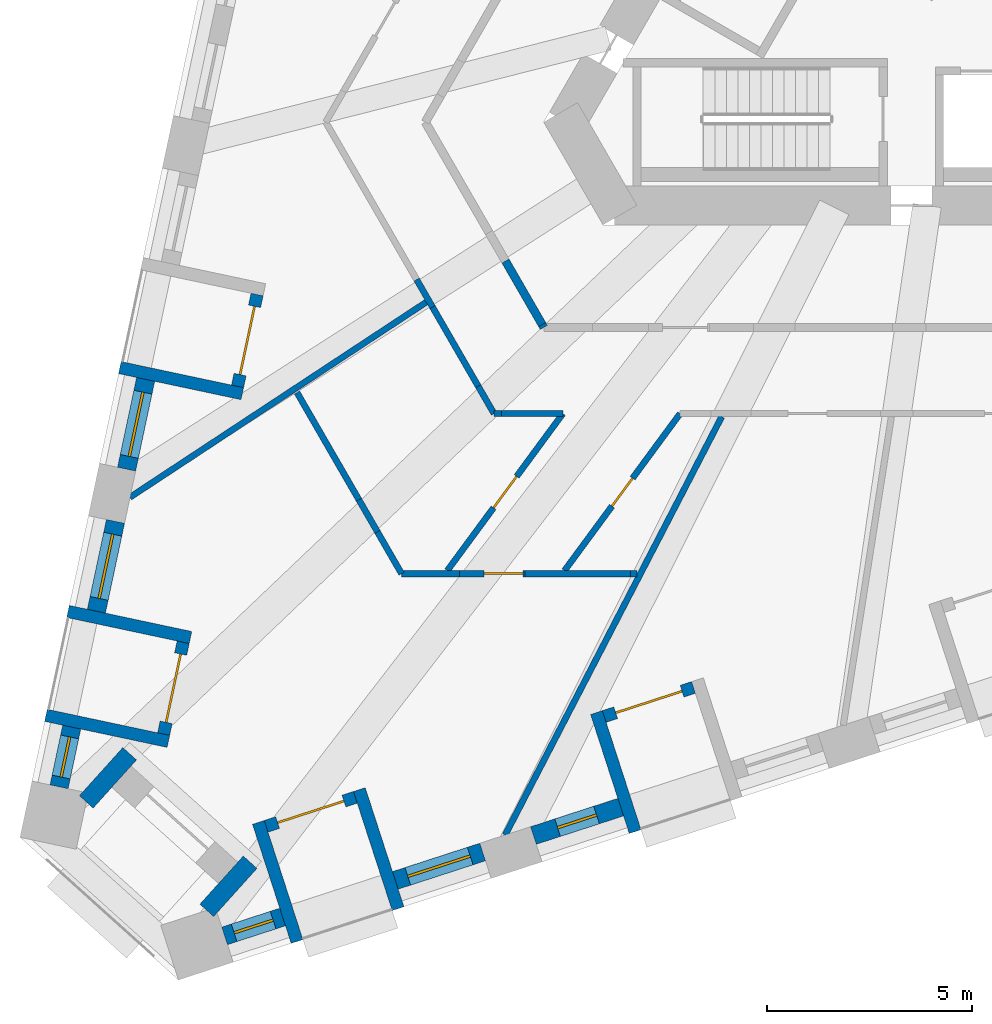
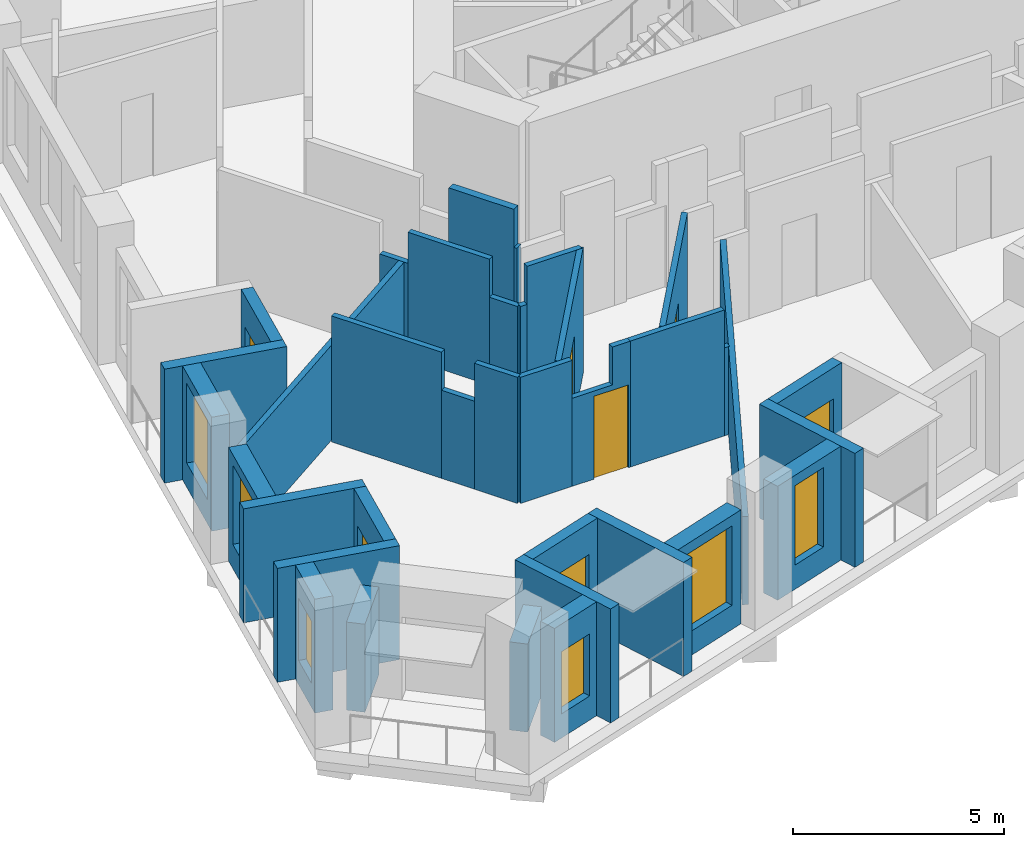
# One storey, part 2 of 12: 36 walls, 7 doors, 6 windows, 13 openings.
"""IFC4 building model written with IfcOpenShell, lengths in metres."""

from ifc_helpers import new_model, si_unit, direction, frame, frame_2d, origin, place, context, subcontext, project, spatial, polyline, rectangle, outline, extrude, material, layer, layer_set, type_object, element, fill, save


model = new_model("IFC4")

# Units and contexts
model_context = context("Model", 3, precision=1e-05, world=origin(), true_north=direction((0.0, 1.0)))
body_context = subcontext(model_context, "Body", "Model", "MODEL_VIEW")
ifc_project = project(units=[si_unit("LENGTHUNIT", "METRE"), si_unit("AREAUNIT", "SQUARE_METRE"), si_unit("VOLUMEUNIT", "CUBIC_METRE"), si_unit("PLANEANGLEUNIT", "RADIAN"), si_unit("MASSUNIT", "GRAM", prefix="KILO")], contexts=[model_context])

# Site, building, storey
site_placement = place(None, origin())
site = spatial("IfcSite", under=ifc_project, at=site_placement, CompositionType="ELEMENT")
building_placement = place(site_placement, origin())
building = spatial("IfcBuilding", under=site, at=building_placement, Name="Tramontana Tower", CompositionType="ELEMENT")
storey_placement = place(building_placement, frame((0.0, 0.0, 92.39990234375)))
storey = spatial("IfcBuildingStorey", under=building, at=storey_placement, Name="L20", CompositionType="ELEMENT", Elevation=92.39990234375)

# Walls
ifc_material_1 = material(Name="Blockwork", Category="masonry")
ifc_layer_1 = layer(ifc_material_1, 0.199951171875)
ifc_layer_set_1 = layer_set([ifc_layer_1], Name="ENTRY WALL 200")
wall_type_1 = type_object("IfcWallType", Name="ENTRY WALL 200", PredefinedType="SOLIDWALL", material=ifc_layer_set_1)
wall_1_placement = place(storey_placement, frame((-10.248046875, -9.25, 0.0), z_axis=(0.0, 0.0, 1.0), x_axis=(-0.499103811596, 0.866542200502, 0.0)))
element("IfcWall", 1, at=wall_1_placement, inside=storey, type_object=wall_type_1, Name="Wall v20-ew3-0", PredefinedType="SOLIDWALL", context=body_context, shape_type="SweptSolid", body=[
    extrude(rectangle(XDim=0.079833984375, YDim=0.199951171875, at=frame_2d((0.0400390625, 0.0))), origin(), (0.0, 0.0, 1.0), 2.550048828125),
])
wall_2_placement = place(storey_placement, frame((-10.287841796875, -9.180908203125, 0.0), z_axis=(0.0, 0.0, 1.0), x_axis=(-0.499986405537, 0.866033252409, 0.0)))
element("IfcWall", 2, at=wall_2_placement, inside=storey, type_object=wall_type_1, Name="Wall v20-ew3-1", PredefinedType="SOLIDWALL", context=body_context, shape_type="SweptSolid", body=[
    extrude(rectangle(XDim=1.7880859375, YDim=0.199951171875, at=frame_2d((0.89404296875, 0.0))), origin(), (0.0, 0.0, 1.0), 3.650146484375),
])

# Wall, opening, window
ifc_material_2 = material(Name="Precast concrete 60 MPa", Category="concrete")
ifc_layer_2 = layer(ifc_material_2, 0.449951171875)
ifc_layer_set_2 = layer_set([ifc_layer_2], Name="Precast concrete 60 MPa, 450 mm")
wall_type_2 = type_object("IfcWallType", Name="EW1 Stone-faced precast wall 450", PredefinedType="SOLIDWALL", material=ifc_layer_set_2)
wall_3_placement = place(storey_placement, frame((-19.947265625, -10.516357421875, 0.0), z_axis=(0.0, 0.0, 1.0), x_axis=(-0.207941001029, -0.978141370197, 0.0)))
wall_3 = element("IfcWall", 3, at=wall_3_placement, inside=storey, type_object=wall_type_2, Name="External wall L20 face 0 bay 5", PredefinedType="SOLIDWALL", context=body_context, shape_type="SweptSolid", body=[
    extrude(rectangle(XDim=2.236572265625, YDim=0.449951171875, at=frame_2d((1.1181640625, 0.0))), origin(), (0.0, 0.0, 1.0), 3.300048828125),
])
opening_1_placement = place(wall_3_placement, frame((0.318359375, 0.0, 0.699951171875)))
opening_1 = element("IfcOpeningElement", 4, at=opening_1_placement, cuts=wall_3, Name="Opening M1", PredefinedType="OPENING", context=body_context, shape_type="SweptSolid", body=[
    extrude(rectangle(XDim=1.60009765625, YDim=2.300048828125, at=frame_2d((0.800048828125, 1.14990234375))), frame((0.0, 0.23486328125, 0.0), z_axis=(0.0, -1.0, 0.0), x_axis=(1.0, 0.0, 0.0)), (0.0, 0.0, 1.0), 0.469970703125),
])
ifc_material_3 = material(Name="Aluminum frame, double glazing unit", Category="aluminium")
window_type_1 = type_object("IfcWindowType", Name="M1 Window 1.6 x 2.3", PartitioningType="SINGLE_PANEL", PredefinedType="WINDOW", material=ifc_material_3)
window_1_placement = place(opening_1_placement, origin())
window_1 = element("IfcWindow", 5, at=window_1_placement, inside=storey, type_object=window_type_1, Name="Window M1 L20 face 0 module 15", OverallHeight=2.300048828125, OverallWidth=1.60009765625, PartitioningType="SINGLE_PANEL", PredefinedType="WINDOW", context=body_context, shape_type="SweptSolid", body=[
    extrude(rectangle(XDim=1.60009765625, YDim=2.300048828125, at=frame_2d((0.800048828125, 1.14990234375))), frame((0.0, 0.030029296875, 0.0), z_axis=(0.0, -1.0, 0.0), x_axis=(1.0, 0.0, 0.0)), (0.0, 0.0, 1.0), 0.06005859375),
])
fill(opening_1, window_1)

wall_4_placement = place(storey_placement, frame((-20.6826171875, -13.975830078125, 0.0), z_axis=(0.0, 0.0, 1.0), x_axis=(-0.207941001029, -0.978141370197, 0.0)))
wall_4 = element("IfcWall", 6, at=wall_4_placement, inside=storey, type_object=wall_type_2, Name="External wall L20 face 0 bay 6", PredefinedType="SOLIDWALL", context=body_context, shape_type="SweptSolid", body=[
    extrude(rectangle(XDim=2.236572265625, YDim=0.449951171875, at=frame_2d((1.1181640625, 0.0))), origin(), (0.0, 0.0, 1.0), 3.300048828125),
])
opening_2_placement = place(wall_4_placement, frame((0.318359375, 0.0, 0.699951171875)))
opening_2 = element("IfcOpeningElement", 7, at=opening_2_placement, cuts=wall_4, Name="Opening M1", PredefinedType="OPENING", context=body_context, shape_type="SweptSolid", body=[
    extrude(rectangle(XDim=1.60009765625, YDim=2.300048828125, at=frame_2d((0.800048828125, 1.14990234375))), frame((0.0, 0.23486328125, 0.0), z_axis=(0.0, -1.0, 0.0), x_axis=(1.0, 0.0, 0.0)), (0.0, 0.0, 1.0), 0.469970703125),
])
window_2_placement = place(opening_2_placement, origin())
window_2 = element("IfcWindow", 8, at=window_2_placement, inside=storey, type_object=window_type_1, Name="Window M1 L20 face 0 module 16", OverallHeight=2.300048828125, OverallWidth=1.60009765625, PartitioningType="SINGLE_PANEL", PredefinedType="WINDOW", context=body_context, shape_type="SweptSolid", body=[
    extrude(rectangle(XDim=1.60009765625, YDim=2.300048828125, at=frame_2d((0.800048828125, 1.14990234375))), frame((0.0, 0.030029296875, 0.0), z_axis=(0.0, -1.0, 0.0), x_axis=(1.0, 0.0, 0.0)), (0.0, 0.0, 1.0), 0.06005859375),
])
fill(opening_2, window_2)

wall_5_placement = place(storey_placement, frame((-21.747802734375, -18.9873046875, 0.0), z_axis=(0.0, 0.0, 1.0), x_axis=(-0.208037456693, -0.978120859921, 0.0)))
wall_5 = element("IfcWall", 9, at=wall_5_placement, inside=storey, type_object=wall_type_2, Name="External wall L20 face 0 bay 6", PredefinedType="SOLIDWALL", context=body_context, shape_type="SweptSolid", body=[
    extrude(rectangle(XDim=1.48681640625, YDim=0.449951171875, at=frame_2d((0.743408203125, 0.0))), origin(), (0.0, 0.0, 1.0), 3.300048828125),
])
opening_3_placement = place(wall_5_placement, frame((0.243408203125, 0.0, 0.699951171875)))
opening_3 = element("IfcOpeningElement", 10, at=opening_3_placement, cuts=wall_5, Name="Opening N1L", PredefinedType="OPENING", context=body_context, shape_type="SweptSolid", body=[
    extrude(rectangle(XDim=1.0, YDim=1.800048828125, at=frame_2d((0.5, 0.89990234375))), frame((0.0, 0.23486328125, 0.0), z_axis=(0.0, -1.0, 0.0), x_axis=(1.0, 0.0, 0.0)), (0.0, 0.0, 1.0), 0.469970703125),
])
ifc_material_4 = material(Name="Aluminum frame, double glazing unit", Category="aluminium")
window_type_2 = type_object("IfcWindowType", Name="N1L Window 1 x 1.8", PartitioningType="SINGLE_PANEL", PredefinedType="WINDOW", material=ifc_material_4)
window_3_placement = place(opening_3_placement, origin())
window_3 = element("IfcWindow", 11, at=window_3_placement, inside=storey, type_object=window_type_2, Name="Window N1L L20 face 0 module 18", OverallHeight=1.800048828125, OverallWidth=1.0, PartitioningType="SINGLE_PANEL", PredefinedType="WINDOW", context=body_context, shape_type="SweptSolid", body=[
    extrude(rectangle(XDim=1.0, YDim=1.800048828125, at=frame_2d((0.5, 0.89990234375))), frame((0.0, 0.030029296875, 0.0), z_axis=(0.0, -1.0, 0.0), x_axis=(1.0, 0.0, 0.0)), (0.0, 0.0, 1.0), 0.06005859375),
])
fill(opening_3, window_3)

wall_6_placement = place(storey_placement, frame((-18.02392578125, -24.072998046875, 0.0), z_axis=(0.0, 0.0, 1.0), x_axis=(0.951037689269, 0.309074931999, 0.0)))
wall_6 = element("IfcWall", 12, at=wall_6_placement, inside=storey, type_object=wall_type_2, Name="External wall L20 face 1 bay 1", PredefinedType="SOLIDWALL", context=body_context, shape_type="SweptSolid", body=[
    extrude(rectangle(XDim=1.486572265625, YDim=0.449951171875, at=frame_2d((0.7431640625, 0.0))), origin(), (0.0, 0.0, 1.0), 3.300048828125),
])
opening_4_placement = place(wall_6_placement, frame((0.243408203125, 0.0, 0.699951171875)))
opening_4 = element("IfcOpeningElement", 13, at=opening_4_placement, cuts=wall_6, Name="Opening N1L", PredefinedType="OPENING", context=body_context, shape_type="SweptSolid", body=[
    extrude(rectangle(XDim=1.0, YDim=1.800048828125, at=frame_2d((0.5, 0.89990234375))), frame((0.0, 0.23486328125, 0.0), z_axis=(0.0, -1.0, 0.0), x_axis=(1.0, 0.0, 0.0)), (0.0, 0.0, 1.0), 0.469970703125),
])
window_4_placement = place(opening_4_placement, origin())
window_4 = element("IfcWindow", 14, at=window_4_placement, inside=storey, type_object=window_type_2, Name="Window N1L L20 face 1 module 1", OverallHeight=1.800048828125, OverallWidth=1.0, PartitioningType="SINGLE_PANEL", PredefinedType="WINDOW", context=body_context, shape_type="SweptSolid", body=[
    extrude(rectangle(XDim=1.0, YDim=1.800048828125, at=frame_2d((0.5, 0.89990234375))), frame((0.0, 0.030029296875, 0.0), z_axis=(0.0, -1.0, 0.0), x_axis=(1.0, 0.0, 0.0)), (0.0, 0.0, 1.0), 0.06005859375),
])
fill(opening_4, window_4)

wall_7_placement = place(storey_placement, frame((-13.864501953125, -22.721435546875, 0.0), z_axis=(0.0, 0.0, 1.0), x_axis=(0.951057328329, 0.30901449518, 0.0)))
wall_7 = element("IfcWall", 15, at=wall_7_placement, inside=storey, type_object=wall_type_2, Name="External wall L20 face 1 bay 1", PredefinedType="SOLIDWALL", context=body_context, shape_type="SweptSolid", body=[
    extrude(rectangle(XDim=2.236572265625, YDim=0.449951171875, at=frame_2d((1.1181640625, 0.0))), origin(), (0.0, 0.0, 1.0), 3.300048828125),
])
opening_5_placement = place(wall_7_placement, frame((0.318359375, 0.0, 0.699951171875)))
opening_5 = element("IfcOpeningElement", 16, at=opening_5_placement, cuts=wall_7, Name="Opening M1", PredefinedType="OPENING", context=body_context, shape_type="SweptSolid", body=[
    extrude(rectangle(XDim=1.60009765625, YDim=2.300048828125, at=frame_2d((0.800048828125, 1.14990234375))), frame((0.0, 0.23486328125, 0.0), z_axis=(0.0, -1.0, 0.0), x_axis=(1.0, 0.0, 0.0)), (0.0, 0.0, 1.0), 0.469970703125),
])
window_5_placement = place(opening_5_placement, origin())
window_5 = element("IfcWindow", 17, at=window_5_placement, inside=storey, type_object=window_type_1, Name="Window M1 L20 face 1 module 3", OverallHeight=2.300048828125, OverallWidth=1.60009765625, PartitioningType="SINGLE_PANEL", PredefinedType="WINDOW", context=body_context, shape_type="SweptSolid", body=[
    extrude(rectangle(XDim=1.60009765625, YDim=2.300048828125, at=frame_2d((0.800048828125, 1.14990234375))), frame((0.0, 0.030029296875, 0.0), z_axis=(0.0, -1.0, 0.0), x_axis=(1.0, 0.0, 0.0)), (0.0, 0.0, 1.0), 0.06005859375),
])
fill(opening_5, window_5)

wall_8_placement = place(storey_placement, frame((-10.5009765625, -21.62841796875, 0.0), z_axis=(0.0, 0.0, 1.0), x_axis=(0.951067749801, 0.30898241906, 0.0)))
wall_8 = element("IfcWall", 18, at=wall_8_placement, inside=storey, type_object=wall_type_2, Name="External wall L20 face 1 bay 2", PredefinedType="SOLIDWALL", context=body_context, shape_type="SweptSolid", body=[
    extrude(rectangle(XDim=2.23681640625, YDim=0.449951171875, at=frame_2d((1.118408203125, 0.0))), origin(), (0.0, 0.0, 1.0), 3.300048828125),
])
opening_6_placement = place(wall_8_placement, frame((0.618408203125, 0.0, 0.699951171875)))
opening_6 = element("IfcOpeningElement", 19, at=opening_6_placement, cuts=wall_8, Name="Opening N1", PredefinedType="OPENING", context=body_context, shape_type="SweptSolid", body=[
    extrude(rectangle(XDim=1.0, YDim=2.300048828125, at=frame_2d((0.5, 1.14990234375))), frame((0.0, 0.23486328125, 0.0), z_axis=(0.0, -1.0, 0.0), x_axis=(1.0, 0.0, 0.0)), (0.0, 0.0, 1.0), 0.469970703125),
])
ifc_material_5 = material(Name="Aluminum frame, double glazing unit", Category="aluminium")
window_type_3 = type_object("IfcWindowType", Name="N1 Window 1 x 2.3", PartitioningType="SINGLE_PANEL", PredefinedType="WINDOW", material=ifc_material_5)
window_6_placement = place(opening_6_placement, origin())
window_6 = element("IfcWindow", 20, at=window_6_placement, inside=storey, type_object=window_type_3, Name="Window N1 L20 face 1 module 4", OverallHeight=2.300048828125, OverallWidth=1.0, PartitioningType="SINGLE_PANEL", PredefinedType="WINDOW", context=body_context, shape_type="SweptSolid", body=[
    extrude(rectangle(XDim=1.0, YDim=2.300048828125, at=frame_2d((0.5, 1.14990234375))), frame((0.0, 0.030029296875, 0.0), z_axis=(0.0, -1.0, 0.0), x_axis=(1.0, 0.0, 0.0)), (0.0, 0.0, 1.0), 0.06005859375),
])
fill(opening_6, window_6)

# Walls
for number, where, z_axis, x_axis, name in (
    (21, (-18.45849609375, -23.451904296875, 0.0), (0.0, 0.0, 1.0), (0.669109923521, 0.743163447867, 0.0), "Corner loggia side wall L20 K21l"),
    (22, (-21.393798828125, -20.808837890625, 0.0), (0.0, 0.0, 1.0), (0.669109923521, 0.743163447867, 0.0), "Corner loggia side wall L20 K21r"),
):
    element("IfcWall", number, at=place(storey_placement, frame(where, z_axis=z_axis, x_axis=x_axis)), inside=storey, type_object=wall_type_2, Name=name, PredefinedType="SOLIDWALL", context=body_context, shape_type="SweptSolid", body=[
        extrude(rectangle(XDim=1.5791015625, YDim=0.449951171875, at=frame_2d((0.78955078125, 0.0))), origin(), (0.0, 0.0, 1.0), 2.550048828125),
    ])

# Wall, opening, door
ifc_material_6 = material(Name="Precast concrete 60 MPa", Category="concrete")
ifc_layer_3 = layer(ifc_material_6, 0.300048828125)
ifc_layer_set_3 = layer_set([ifc_layer_3], Name="LW1 Stone-faced loggia wall 300")
wall_type_3 = type_object("IfcWallType", Name="LW1 Stone-faced loggia wall 300", PredefinedType="SOLIDWALL", material=ifc_layer_set_3)
wall_9_placement = place(storey_placement, frame((-17.233154296875, -8.44873046875, 0.0), z_axis=(0.0, 0.0, 1.0), x_axis=(-0.207866417042, -0.978157222877, 0.0)))
wall_9 = element("IfcWall", 23, at=wall_9_placement, inside=storey, type_object=wall_type_3, Name="Loggia wall L20 G2S0.13", PredefinedType="SOLIDWALL", context=body_context, shape_type="SweptSolid", body=[
    extrude(rectangle(XDim=2.286865234375, YDim=0.300048828125, at=frame_2d((1.1435546875, 0.0))), origin(), (0.0, 0.0, 1.0), 3.300048828125),
])
opening_7_placement = place(wall_9_placement, frame((0.29345703125, 0.0, 0.0)))
opening_7 = element("IfcOpeningElement", 24, at=opening_7_placement, cuts=wall_9, Name="Opening BD-2S0-13", PredefinedType="OPENING", context=body_context, shape_type="SweptSolid", body=[
    extrude(rectangle(XDim=1.699951171875, YDim=2.39990234375, at=frame_2d((0.85009765625, 1.199951171875))), frame((0.0, 0.159912109375, 0.0), z_axis=(0.0, -1.0, 0.0), x_axis=(1.0, 0.0, 0.0)), (0.0, 0.0, 1.0), 0.320068359375),
])
ifc_material_7 = material(Name="Aluminum frame, double glazing unit", Category="aluminium")
door_type_1 = type_object("IfcDoorType", Name="BD1 Sliding door 1.7 x 2.4", OperationType="SLIDING_TO_LEFT", PredefinedType="DOOR", material=ifc_material_7)
door_1_placement = place(opening_7_placement, origin())
door_1 = element("IfcDoor", 25, at=door_1_placement, inside=storey, type_object=door_type_1, Name="Loggia door L20 G2S0.13", OperationType="SLIDING_TO_LEFT", OverallHeight=2.39990234375, OverallWidth=1.699951171875, PredefinedType="DOOR", context=body_context, shape_type="SweptSolid", body=[
    extrude(rectangle(XDim=1.699951171875, YDim=2.39990234375, at=frame_2d((0.85009765625, 1.199951171875))), frame((0.0, 0.02490234375, 0.0), z_axis=(0.0, -1.0, 0.0), x_axis=(1.0, 0.0, 0.0)), (0.0, 0.0, 1.0), 0.050048828125),
])
fill(opening_7, door_1)

# Wall
wall_10_placement = place(storey_placement, frame((-20.576416015625, -10.229248046875, 0.0), z_axis=(0.0, 0.0, 1.0), x_axis=(0.978154782045, -0.207877902534, 0.0)))
element("IfcWall", 26, at=wall_10_placement, inside=storey, type_object=wall_type_3, Name="Loggia return L20 G2S0.13b", PredefinedType="SOLIDWALL", context=body_context, shape_type="SweptSolid", body=[
    extrude(rectangle(XDim=3.050048828125, YDim=0.300048828125, at=frame_2d((1.52490234375, 0.0))), origin(), (0.0, 0.0, 1.0), 3.300048828125),
])

# Wall, opening, door
wall_11_placement = place(storey_placement, frame((-19.03369140625, -16.919677734375, 0.0), z_axis=(0.0, 0.0, 1.0), x_axis=(-0.207968563016, -0.978135510447, 0.0)))
wall_11 = element("IfcWall", 27, at=wall_11_placement, inside=storey, type_object=wall_type_3, Name="Loggia wall L20 G2S0.16", PredefinedType="SOLIDWALL", context=body_context, shape_type="SweptSolid", body=[
    extrude(rectangle(XDim=2.286865234375, YDim=0.300048828125, at=frame_2d((1.1435546875, 0.0))), origin(), (0.0, 0.0, 1.0), 3.300048828125),
])
opening_8_placement = place(wall_11_placement, frame((0.29345703125, 0.0, 0.0)))
opening_8 = element("IfcOpeningElement", 28, at=opening_8_placement, cuts=wall_11, Name="Opening BD-2S0-16", PredefinedType="OPENING", context=body_context, shape_type="SweptSolid", body=[
    extrude(rectangle(XDim=1.699951171875, YDim=2.39990234375, at=frame_2d((0.85009765625, 1.199951171875))), frame((0.0, 0.159912109375, 0.0), z_axis=(0.0, -1.0, 0.0), x_axis=(1.0, 0.0, 0.0)), (0.0, 0.0, 1.0), 0.320068359375),
])
door_2_placement = place(opening_8_placement, origin())
door_2 = element("IfcDoor", 29, at=door_2_placement, inside=storey, type_object=door_type_1, Name="Loggia door L20 G2S0.16", OperationType="SLIDING_TO_LEFT", OverallHeight=2.39990234375, OverallWidth=1.699951171875, PredefinedType="DOOR", context=body_context, shape_type="SweptSolid", body=[
    extrude(rectangle(XDim=1.699951171875, YDim=2.39990234375, at=frame_2d((0.85009765625, 1.199951171875))), frame((0.0, 0.02490234375, 0.0), z_axis=(0.0, -1.0, 0.0), x_axis=(1.0, 0.0, 0.0)), (0.0, 0.0, 1.0), 0.050048828125),
])
fill(opening_8, door_2)

# Walls
for number, where, z_axis, x_axis, name in (
    (30, (-21.839111328125, -16.169921875, 0.0), (0.0, 0.0, 1.0), (0.978138503145, -0.207954487003, 0.0), "Loggia return L20 G2S0.16a"),
    (31, (-22.376953125, -18.7001953125, 0.0), (0.0, 0.0, 1.0), (0.978154782045, -0.207877902534, 0.0), "Loggia return L20 G2S0.16b"),
):
    element("IfcWall", number, at=place(storey_placement, frame(where, z_axis=z_axis, x_axis=x_axis)), inside=storey, type_object=wall_type_3, Name=name, PredefinedType="SOLIDWALL", context=body_context, shape_type="SweptSolid", body=[
        extrude(rectangle(XDim=3.050048828125, YDim=0.300048828125, at=frame_2d((1.52490234375, 0.0))), origin(), (0.0, 0.0, 1.0), 3.300048828125),
    ])

# Wall, opening, door
wall_12_placement = place(storey_placement, frame((-17.01220703125, -21.40478515625, 0.0), z_axis=(0.0, 0.0, 1.0), x_axis=(0.95103720697, 0.309076416051, 0.0)))
wall_12 = element("IfcWall", 32, at=wall_12_placement, inside=storey, type_object=wall_type_3, Name="Loggia wall L20 G2S1.1", PredefinedType="SOLIDWALL", context=body_context, shape_type="SweptSolid", body=[
    extrude(rectangle(XDim=2.286865234375, YDim=0.300048828125, at=frame_2d((1.1435546875, 0.0))), origin(), (0.0, 0.0, 1.0), 3.300048828125),
])
opening_9_placement = place(wall_12_placement, frame((0.29345703125, 0.0, 0.0)))
opening_9 = element("IfcOpeningElement", 33, at=opening_9_placement, cuts=wall_12, Name="Opening BD-2S1-01", PredefinedType="OPENING", context=body_context, shape_type="SweptSolid", body=[
    extrude(rectangle(XDim=1.699951171875, YDim=2.39990234375, at=frame_2d((0.85009765625, 1.199951171875))), frame((0.0, 0.159912109375, 0.0), z_axis=(0.0, -1.0, 0.0), x_axis=(1.0, 0.0, 0.0)), (0.0, 0.0, 1.0), 0.320068359375),
])
door_3_placement = place(opening_9_placement, origin())
door_3 = element("IfcDoor", 34, at=door_3_placement, inside=storey, type_object=door_type_1, Name="Loggia door L20 G2S1.1", OperationType="SLIDING_TO_LEFT", OverallHeight=2.39990234375, OverallWidth=1.699951171875, PredefinedType="DOOR", context=body_context, shape_type="SweptSolid", body=[
    extrude(rectangle(XDim=1.699951171875, YDim=2.39990234375, at=frame_2d((0.85009765625, 1.199951171875))), frame((0.0, 0.02490234375, 0.0), z_axis=(0.0, -1.0, 0.0), x_axis=(1.0, 0.0, 0.0)), (0.0, 0.0, 1.0), 0.050048828125),
])
fill(opening_9, door_3)

# Walls
for number, where, z_axis, x_axis, name in (
    (35, (-16.2587890625, -24.209228515625, 0.0), (0.0, 0.0, 1.0), (-0.308966615996, 0.951072883748, 0.0), "Loggia return L20 G2S1.1a"),
    (36, (-13.798583984375, -23.40966796875, 0.0), (0.0, 0.0, 1.0), (-0.309062542235, 0.951041715693, 0.0), "Loggia return L20 G2S1.1b"),
):
    element("IfcWall", number, at=place(storey_placement, frame(where, z_axis=z_axis, x_axis=x_axis)), inside=storey, type_object=wall_type_3, Name=name, PredefinedType="SOLIDWALL", context=body_context, shape_type="SweptSolid", body=[
        extrude(rectangle(XDim=3.050048828125, YDim=0.300048828125, at=frame_2d((1.52490234375, 0.0))), origin(), (0.0, 0.0, 1.0), 3.300048828125),
    ])

# Wall, opening, door
wall_13_placement = place(storey_placement, frame((-8.77587890625, -18.728515625, 0.0), z_axis=(0.0, 0.0, 1.0), x_axis=(0.951068585107, 0.308979847923, 0.0)))
wall_13 = element("IfcWall", 37, at=wall_13_placement, inside=storey, type_object=wall_type_3, Name="Loggia wall L20 G2S1.4", PredefinedType="SOLIDWALL", context=body_context, shape_type="SweptSolid", body=[
    extrude(rectangle(XDim=2.28662109375, YDim=0.300048828125, at=frame_2d((1.143310546875, 0.0))), origin(), (0.0, 0.0, 1.0), 3.300048828125),
])
opening_10_placement = place(wall_13_placement, frame((0.29345703125, 0.0, 0.0)))
opening_10 = element("IfcOpeningElement", 38, at=opening_10_placement, cuts=wall_13, Name="Opening BD-2S1-04", PredefinedType="OPENING", context=body_context, shape_type="SweptSolid", body=[
    extrude(rectangle(XDim=1.699951171875, YDim=2.39990234375, at=frame_2d((0.85009765625, 1.199951171875))), frame((0.0, 0.159912109375, 0.0), z_axis=(0.0, -1.0, 0.0), x_axis=(1.0, 0.0, 0.0)), (0.0, 0.0, 1.0), 0.320068359375),
])
door_4_placement = place(opening_10_placement, origin())
door_4 = element("IfcDoor", 39, at=door_4_placement, inside=storey, type_object=door_type_1, Name="Loggia door L20 G2S1.4", OperationType="SLIDING_TO_LEFT", OverallHeight=2.39990234375, OverallWidth=1.699951171875, PredefinedType="DOOR", context=body_context, shape_type="SweptSolid", body=[
    extrude(rectangle(XDim=1.699951171875, YDim=2.39990234375, at=frame_2d((0.85009765625, 1.199951171875))), frame((0.0, 0.02490234375, 0.0), z_axis=(0.0, -1.0, 0.0), x_axis=(1.0, 0.0, 0.0)), (0.0, 0.0, 1.0), 0.050048828125),
])
fill(opening_10, door_4)

# Walls
wall_14_placement = place(storey_placement, frame((-8.0224609375, -21.532958984375, 0.0), z_axis=(0.0, 0.0, 1.0), x_axis=(-0.308990138358, 0.951065241925, 0.0)))
element("IfcWall", 40, at=wall_14_placement, inside=storey, type_object=wall_type_3, Name="Loggia return L20 G2S1.4a", PredefinedType="SOLIDWALL", context=body_context, shape_type="SweptSolid", body=[
    extrude(rectangle(XDim=3.0498046875, YDim=0.300048828125, at=frame_2d((1.52490234375, 0.0))), origin(), (0.0, 0.0, 1.0), 3.300048828125),
])
ifc_material_8 = material(Name="Gypsum board partition")
ifc_layer_4 = layer(ifc_material_8, 0.14990234375)
ifc_layer_set_4 = layer_set([ifc_layer_4], Name="PARTITION 150")
wall_type_4 = type_object("IfcWallType", Name="PARTITION 150", PredefinedType="PARTITIONING", material=ifc_layer_set_4)
wall_15_placement = place(storey_placement, frame((-20.327392578125, -13.38671875, 0.0), z_axis=(0.0, 0.0, 1.0), x_axis=(0.835168014777, 0.549994897334, 0.0)))
element("IfcWall", 41, at=wall_15_placement, inside=storey, type_object=wall_type_4, Name="Wall v20-pw00-0", PredefinedType="PARTITIONING", context=body_context, shape_type="SweptSolid", body=[
    extrude(rectangle(XDim=8.637451171875, YDim=0.14990234375, at=frame_2d((4.31884765625, 0.0))), origin(), (0.0, 0.0, 1.0), 2.75),
])
wall_16_placement = place(storey_placement, frame((-13.712158203125, -15.25, 0.0), z_axis=(0.0, 0.0, 1.0), x_axis=(-0.499907924584, 0.866078557025, 0.0)))
element("IfcWall", 42, at=wall_16_placement, inside=storey, type_object=wall_type_4, Name="Wall v20-pw03-0", PredefinedType="PARTITIONING", context=body_context, shape_type="SweptSolid", body=[
    extrude(rectangle(XDim=1.177490234375, YDim=0.14990234375, at=frame_2d((0.5888671875, 0.0))), origin(), (0.0, 0.0, 1.0), 3.650146484375),
])
wall_17_placement = place(storey_placement, frame((-14.30078125, -14.230224609375, 0.0), z_axis=(0.0, 0.0, 1.0), x_axis=(-0.499988457423, 0.866032067792, 0.0)))
element("IfcWall", 43, at=wall_17_placement, inside=storey, type_object=wall_type_4, Name="Wall v20-pw03-1", PredefinedType="PARTITIONING", context=body_context, shape_type="SweptSolid", body=[
    extrude(rectangle(XDim=0.900390625, YDim=0.14990234375, at=frame_2d((0.4501953125, 0.0))), origin(), (0.0, 0.0, 1.0), 2.550048828125),
])
wall_18_placement = place(storey_placement, frame((-14.7509765625, -13.450439453125, 0.0), z_axis=(0.0, 0.0, 1.0), x_axis=(-0.499979445284, 0.86603727073, 0.0)))
element("IfcWall", 44, at=wall_18_placement, inside=storey, type_object=wall_type_4, Name="Wall v20-pw03-2", PredefinedType="PARTITIONING", context=body_context, shape_type="SweptSolid", body=[
    extrude(rectangle(XDim=3.015380859375, YDim=0.14990234375, at=frame_2d((1.5078125, 0.0))), origin(), (0.0, 0.0, 1.0), 3.650146484375),
])

# Wall, opening, door
wall_19_placement = place(storey_placement, frame((-12.599365234375, -15.175048828125, 0.0), z_axis=(0.0, 0.0, 1.0), x_axis=(0.592829004129, 0.805328362758, 0.0)))
wall_19 = element("IfcWall", 45, at=wall_19_placement, inside=storey, type_object=wall_type_4, Name="Wall v20-pw05", PredefinedType="PARTITIONING", context=body_context, shape_type="SweptSolid", body=[
    extrude(rectangle(XDim=4.74951171875, YDim=0.14990234375, at=frame_2d((2.374755859375, 0.0))), origin(), (0.0, 0.0, 1.0), 3.650146484375),
])
opening_11_placement = place(wall_19_placement, frame((1.89990234375, 0.0, 0.0)))
opening_11 = element("IfcOpeningElement", 46, at=opening_11_placement, cuts=wall_19, Name="Opening B2A-08", PredefinedType="OPENING", context=body_context, shape_type="SweptSolid", body=[
    extrude(rectangle(XDim=0.949951171875, YDim=2.39990234375, at=frame_2d((0.47509765625, 1.199951171875))), frame((0.0, 0.0849609375, 0.0), z_axis=(0.0, -1.0, 0.0), x_axis=(1.0, 0.0, 0.0)), (0.0, 0.0, 1.0), 0.169921875),
])
ifc_material_9 = material(Name="Painted timber", Category="wood")
door_type_2 = type_object("IfcDoorType", Name="DOOR ROOM 950", OperationType="SINGLE_SWING_LEFT", PredefinedType="DOOR", material=ifc_material_9)
door_5_placement = place(opening_11_placement, origin())
door_5 = element("IfcDoor", 47, at=door_5_placement, inside=storey, type_object=door_type_2, Name="Door B2A-08", OperationType="SINGLE_SWING_RIGHT", OverallHeight=2.39990234375, OverallWidth=0.949951171875, PredefinedType="DOOR", context=body_context, shape_type="SweptSolid", body=[
    extrude(rectangle(XDim=0.949951171875, YDim=2.39990234375, at=frame_2d((0.47509765625, 1.199951171875))), frame((0.0, 0.02490234375, 0.0), z_axis=(0.0, -1.0, 0.0), x_axis=(1.0, 0.0, 0.0)), (0.0, 0.0, 1.0), 0.050048828125),
])
fill(opening_11, door_5)

# Walls
wall_20_placement = place(storey_placement, frame((-11.46044921875, -11.35009765625, 0.0), z_axis=(0.0, 0.0, 1.0), x_axis=(-0.49974986996, 0.866169768276, 0.0)))
element("IfcWall", 48, at=wall_20_placement, inside=storey, type_object=wall_type_4, Name="Wall v20-pw06-0", PredefinedType="PARTITIONING", context=body_context, shape_type="SweptSolid", body=[
    extrude(rectangle(XDim=0.77099609375, YDim=0.14990234375, at=frame_2d((0.385498046875, 0.0))), origin(), (0.0, 0.0, 1.0), 2.550048828125),
])
wall_21_placement = place(storey_placement, frame((-11.845703125, -10.682373046875, 0.0), z_axis=(0.0, 0.0, 1.0), x_axis=(-0.500067425712, 0.865986472032, 0.0)))
element("IfcWall", 49, at=wall_21_placement, inside=storey, type_object=wall_type_4, Name="Wall v20-pw06-1", PredefinedType="PARTITIONING", context=body_context, shape_type="SweptSolid", body=[
    extrude(rectangle(XDim=2.225830078125, YDim=0.14990234375, at=frame_2d((1.11279296875, 0.0))), origin(), (0.0, 0.0, 1.0), 3.650146484375),
])
wall_22_placement = place(storey_placement, frame((-12.958740234375, -8.7548828125, 0.0), z_axis=(0.0, 0.0, 1.0), x_axis=(-0.500031167255, 0.866007408613, 0.0)))
element("IfcWall", 50, at=wall_22_placement, inside=storey, type_object=wall_type_4, Name="Wall v20-pw06-2", PredefinedType="PARTITIONING", context=body_context, shape_type="SweptSolid", body=[
    extrude(rectangle(XDim=0.77587890625, YDim=0.14990234375, at=frame_2d((0.387939453125, 0.0))), origin(), (0.0, 0.0, 1.0), 2.75),
])
wall_23_placement = place(storey_placement, frame((-9.78369140625, -11.35009765625, 0.0), z_axis=(0.0, 0.0, 1.0), x_axis=(-1.0, 0.0, 0.0)))
element("IfcWall", 51, at=wall_23_placement, inside=storey, type_object=wall_type_4, Name="Wall v20-pw07-0", PredefinedType="PARTITIONING", context=body_context, shape_type="SweptSolid", body=[
    extrude(rectangle(XDim=1.494384765625, YDim=0.14990234375, at=frame_2d((0.7470703125, 0.0))), origin(), (0.0, 0.0, 1.0), 3.650146484375),
])
wall_24_placement = place(storey_placement, frame((-11.278076171875, -11.35009765625, 0.0), z_axis=(0.0, 0.0, 1.0), x_axis=(-1.0, 0.0, 0.0)))
element("IfcWall", 52, at=wall_24_placement, inside=storey, type_object=wall_type_4, Name="Wall v20-pw07-1", PredefinedType="PARTITIONING", context=body_context, shape_type="SweptSolid", body=[
    extrude(rectangle(XDim=0.182373046875, YDim=0.14990234375, at=frame_2d((0.09130859375, 0.0))), origin(), (0.0, 0.0, 1.0), 2.550048828125),
])
wall_25_placement = place(storey_placement, frame((-7.978271484375, -15.25, 0.0), z_axis=(0.0, 0.0, 1.0), x_axis=(-1.0, 0.0, 0.0)))
element("IfcWall", 53, at=wall_25_placement, inside=storey, type_object=wall_type_4, Name="Wall v20-pw11-0", PredefinedType="PARTITIONING", context=body_context, shape_type="SweptSolid", body=[
    extrude(rectangle(XDim=0.1552734375, YDim=0.14990234375, at=frame_2d((0.07763671875, 0.0))), origin(), (0.0, 0.0, 1.0), 2.550048828125),
])
wall_26_placement = place(storey_placement, frame((-8.133544921875, -15.25, 0.0), z_axis=(0.0, 0.0, 1.0), x_axis=(-1.0, 0.0, 0.0)))
element("IfcWall", 54, at=wall_26_placement, inside=storey, type_object=wall_type_4, Name="Wall v20-pw11-1", PredefinedType="PARTITIONING", context=body_context, shape_type="SweptSolid", body=[
    extrude(rectangle(XDim=2.568115234375, YDim=0.14990234375, at=frame_2d((1.2841796875, 0.0))), origin(), (0.0, 0.0, 1.0), 3.650146484375),
])

# Wall, opening, door
wall_27_placement = place(storey_placement, frame((-10.70166015625, -15.25, 0.0), z_axis=(0.0, 0.0, 1.0), x_axis=(-1.0, 0.0, 0.0)))
wall_27 = element("IfcWall", 55, at=wall_27_placement, inside=storey, type_object=wall_type_4, Name="Wall v20-pw11-2", PredefinedType="PARTITIONING", context=body_context, shape_type="SweptSolid", body=[
    extrude(outline(polyline([(0.0, 0.0), (1.601318359375, 0.0), (1.601318359375, 2.550048828125), (0.496826171875, 2.550048828125), (0.496826171875, 3.650146484375), (0.0, 3.650146484375), (0.0, 0.0)])), frame((0.0, 0.074951171875, 0.0), z_axis=(0.0, -1.0, 0.0), x_axis=(1.0, 0.0, 0.0)), (0.0, 0.0, 1.0), 0.14990234375),
])
opening_12_placement = place(wall_27_placement, frame((0.050048828125, 0.0, 0.0)))
opening_12 = element("IfcOpeningElement", 56, at=opening_12_placement, cuts=wall_27, Name="Opening B2A-10", PredefinedType="OPENING", context=body_context, shape_type="SweptSolid", body=[
    extrude(rectangle(XDim=0.949951171875, YDim=2.39990234375, at=frame_2d((0.47509765625, 1.199951171875))), frame((0.0, 0.0849609375, 0.0), z_axis=(0.0, -1.0, 0.0), x_axis=(1.0, 0.0, 0.0)), (0.0, 0.0, 1.0), 0.169921875),
])
door_6_placement = place(opening_12_placement, origin())
door_6 = element("IfcDoor", 57, at=door_6_placement, inside=storey, type_object=door_type_2, Name="Door B2A-10", OperationType="SINGLE_SWING_RIGHT", OverallHeight=2.39990234375, OverallWidth=0.949951171875, PredefinedType="DOOR", context=body_context, shape_type="SweptSolid", body=[
    extrude(rectangle(XDim=0.949951171875, YDim=2.39990234375, at=frame_2d((0.47509765625, 1.199951171875))), frame((0.0, 0.02490234375, 0.0), z_axis=(0.0, -1.0, 0.0), x_axis=(1.0, 0.0, 0.0)), (0.0, 0.0, 1.0), 0.050048828125),
])
fill(opening_12, door_6)

# Wall
wall_28_placement = place(storey_placement, frame((-12.302978515625, -15.25, 0.0), z_axis=(0.0, 0.0, 1.0), x_axis=(-1.0, 0.0, 0.0)))
element("IfcWall", 58, at=wall_28_placement, inside=storey, type_object=wall_type_4, Name="Wall v20-pw11-3", PredefinedType="PARTITIONING", context=body_context, shape_type="SweptSolid", body=[
    extrude(rectangle(XDim=1.408935546875, YDim=0.14990234375, at=frame_2d((0.70458984375, 0.0))), origin(), (0.0, 0.0, 1.0), 3.650146484375),
])

# Wall, opening, door
wall_29_placement = place(storey_placement, frame((-6.927490234375, -11.35009765625, 0.0), z_axis=(0.0, 0.0, 1.0), x_axis=(-0.592862340114, -0.805303821967, 0.0)))
wall_29 = element("IfcWall", 59, at=wall_29_placement, inside=storey, type_object=wall_type_4, Name="Wall v20-pw12", PredefinedType="PARTITIONING", context=body_context, shape_type="SweptSolid", body=[
    extrude(rectangle(XDim=4.749755859375, YDim=0.14990234375, at=frame_2d((2.375, 0.0))), origin(), (0.0, 0.0, 1.0), 3.650146484375),
])
opening_13_placement = place(wall_29_placement, frame((1.949951171875, 0.0, 0.0)))
opening_13 = element("IfcOpeningElement", 60, at=opening_13_placement, cuts=wall_29, Name="Opening B2A-09", PredefinedType="OPENING", context=body_context, shape_type="SweptSolid", body=[
    extrude(rectangle(XDim=0.85009765625, YDim=2.39990234375, at=frame_2d((0.425048828125, 1.199951171875))), frame((0.0, 0.0849609375, 0.0), z_axis=(0.0, -1.0, 0.0), x_axis=(1.0, 0.0, 0.0)), (0.0, 0.0, 1.0), 0.169921875),
])
ifc_material_10 = material(Name="Painted timber", Category="wood")
door_type_3 = type_object("IfcDoorType", Name="DOOR BATH 850", OperationType="SINGLE_SWING_LEFT", PredefinedType="DOOR", material=ifc_material_10)
door_7_placement = place(opening_13_placement, origin())
door_7 = element("IfcDoor", 61, at=door_7_placement, inside=storey, type_object=door_type_3, Name="Door B2A-09", OperationType="SINGLE_SWING_LEFT", OverallHeight=2.39990234375, OverallWidth=0.85009765625, PredefinedType="DOOR", context=body_context, shape_type="SweptSolid", body=[
    extrude(rectangle(XDim=0.85009765625, YDim=2.39990234375, at=frame_2d((0.425048828125, 1.199951171875))), frame((0.0, 0.02490234375, 0.0), z_axis=(0.0, -1.0, 0.0), x_axis=(1.0, 0.0, 0.0)), (0.0, 0.0, 1.0), 0.050048828125),
])
fill(opening_13, door_7)

# Wall
wall_30_placement = place(storey_placement, frame((-5.913818359375, -11.425048828125, 0.0), z_axis=(0.0, 0.0, 1.0), x_axis=(-0.45968915988, -0.888079881705, 0.0)))
element("IfcWall", 62, at=wall_30_placement, inside=storey, type_object=wall_type_4, Name="Wall v20-pw17-0", PredefinedType="PARTITIONING", context=body_context, shape_type="SweptSolid", body=[
    extrude(rectangle(XDim=11.474365234375, YDim=0.14990234375, at=frame_2d((5.7373046875, 0.0))), origin(), (0.0, 0.0, 1.0), 2.550048828125),
])

save(model, "model.ifc")
